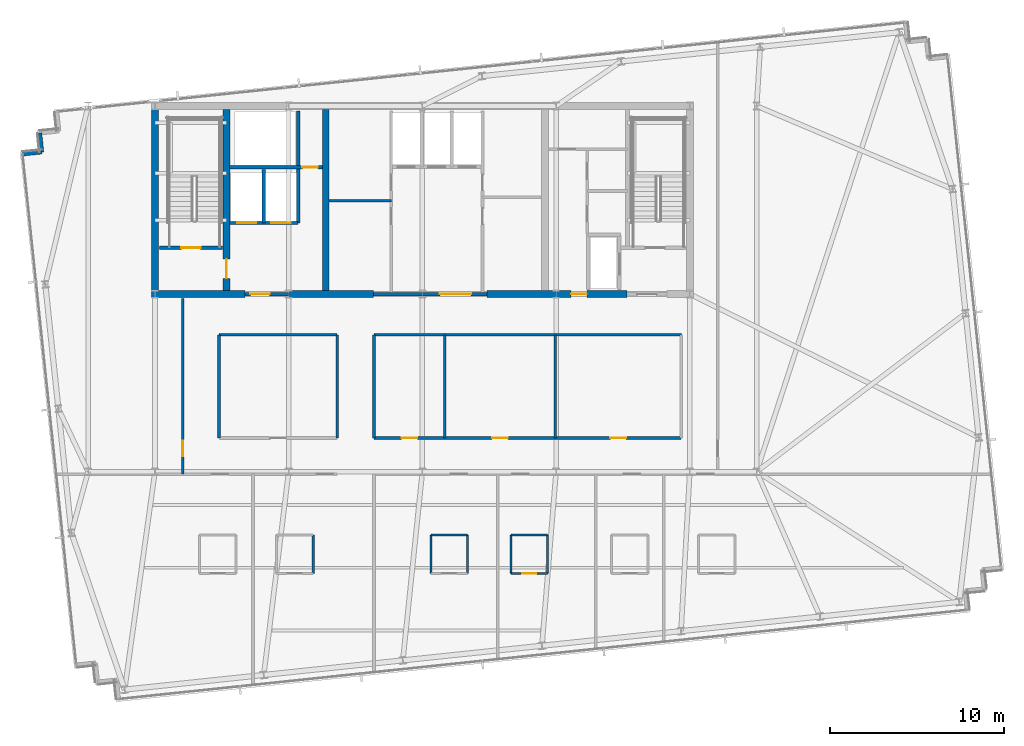
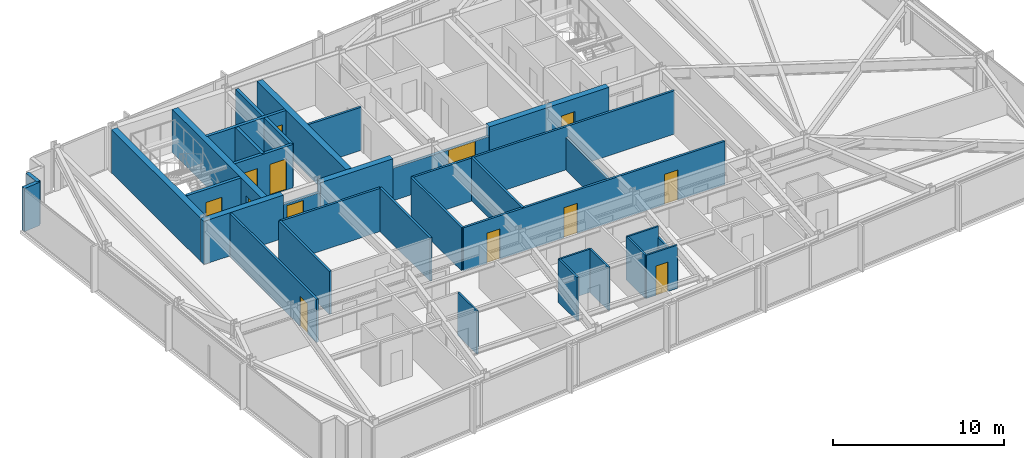
# One storey, part 27 of 33: 33 walls, 13 doors, 13 openings.
"""IFC4 building model written with IfcOpenShell, lengths in metres."""

from ifc_helpers import new_model, si_unit, direction, frame, frame_2d, origin, place, context, subcontext, project, spatial, rectangle, extrude, material, layer, layer_set, type_object, element, fill, save


model = new_model("IFC4")

# Units and contexts
model_context = context("Model", 3, precision=1e-05, world=origin(), true_north=direction((0.0, 1.0)))
body_context = subcontext(model_context, "Body", "Model", "MODEL_VIEW")
ifc_project = project(units=[si_unit("LENGTHUNIT", "METRE"), si_unit("AREAUNIT", "SQUARE_METRE"), si_unit("VOLUMEUNIT", "CUBIC_METRE"), si_unit("PLANEANGLEUNIT", "RADIAN"), si_unit("MASSUNIT", "GRAM", prefix="KILO")], contexts=[model_context])

# Site, building, storey
site_placement = place(None, origin())
site = spatial("IfcSite", under=ifc_project, at=site_placement, CompositionType="ELEMENT")
building_placement = place(site_placement, origin())
building = spatial("IfcBuilding", under=site, at=building_placement, Name="Yelkora Congress Tower", CompositionType="ELEMENT")
storey_placement = place(building_placement, frame((0.0, 0.0, 240.800048828125)))
storey = spatial("IfcBuildingStorey", under=building, at=storey_placement, Name="L67", CompositionType="ELEMENT", Elevation=240.800048828125)

# Walls
ifc_material_1 = material(Name="Concrete C50/60", Category="concrete")
ifc_layer_1 = layer(ifc_material_1, 0.39990234375)
ifc_layer_set_1 = layer_set([ifc_layer_1], Name="Concrete C50/60")
wall_type_1 = type_object("IfcWallType", Name="WALL-CORE-INT-400", PredefinedType="SHEAR", material=ifc_layer_set_1)
wall_1_placement = place(storey_placement, frame((22.840087890625, 35.39990234375, 0.0), z_axis=(0.0, 0.0, 1.0), x_axis=(1.0, 0.0, 0.0)))
element("IfcWall", 1, at=wall_1_placement, inside=storey, type_object=wall_type_1, Name="L67 Rear Core South-West Shear Wall", PredefinedType="SHEAR", context=body_context, shape_type="SweptSolid", body=[
    extrude(rectangle(XDim=5.35986328125, YDim=0.39990234375, at=frame_2d((2.679931640625, 0.0))), origin(), (0.0, 0.0, 1.0), 3.079833984375),
])
wall_2_placement = place(storey_placement, frame((30.719970703125, 35.39990234375, 0.0), z_axis=(0.0, 0.0, 1.0), x_axis=(1.0, 0.0, 0.0)))
element("IfcWall", 2, at=wall_2_placement, inside=storey, type_object=wall_type_1, Name="L67 Rear Core South-Center Shear Pier", PredefinedType="SHEAR", context=body_context, shape_type="SweptSolid", body=[
    extrude(rectangle(XDim=4.880126953125, YDim=0.39990234375, at=frame_2d((2.43994140625, 0.0))), origin(), (0.0, 0.0, 1.0), 3.079833984375),
])

# Wall, opening, door
wall_3_placement = place(storey_placement, frame((42.10009765625, 35.39990234375, 0.0), z_axis=(0.0, 0.0, 1.0), x_axis=(1.0, 0.0, 0.0)))
wall_3 = element("IfcWall", 3, at=wall_3_placement, inside=storey, type_object=wall_type_1, Name="L67 Rear Core South-East Shear Wall A", PredefinedType="SHEAR", context=body_context, shape_type="SweptSolid", body=[
    extrude(rectangle(XDim=8.0498046875, YDim=0.39990234375, at=frame_2d((4.02490234375, 0.0))), origin(), (0.0, 0.0, 1.0), 3.079833984375),
])
opening_1_placement = place(wall_3_placement, frame((4.85009765625, 0.0, 0.0)))
opening_1 = element("IfcOpeningElement", 4, at=opening_1_placement, cuts=wall_3, Name="Opening DR-090F6", PredefinedType="OPENING", context=body_context, shape_type="SweptSolid", body=[
    extrude(rectangle(XDim=0.89990234375, YDim=2.14990234375, at=frame_2d((0.449951171875, 1.074951171875))), frame((0.0, 0.2099609375, 0.0), z_axis=(0.0, -1.0, 0.0), x_axis=(1.0, 0.0, 0.0)), (0.0, 0.0, 1.0), 0.419921875),
])
ifc_material_2 = material(Name="Painted steel riser fire door leaf", Category="steel")
door_type_1 = type_object("IfcDoorType", Name="DOOR-FD60-900", OperationType="NOTDEFINED", PredefinedType="DOOR", material=ifc_material_2)
door_1_placement = place(opening_1_placement, origin())
door_1 = element("IfcDoor", 5, at=door_1_placement, inside=storey, type_object=door_type_1, Name="L67 Core Washroom Lobby Door", OperationType="SINGLE_SWING_RIGHT", OverallHeight=2.14990234375, OverallWidth=0.89990234375, PredefinedType="DOOR", context=body_context, shape_type="SweptSolid", body=[
    extrude(rectangle(XDim=0.89990234375, YDim=2.14990234375, at=frame_2d((0.449951171875, 1.074951171875))), frame((0.0, 0.02490234375, 0.0), z_axis=(0.0, -1.0, 0.0), x_axis=(1.0, 0.0, 0.0)), (0.0, 0.0, 1.0), 0.050048828125),
])
fill(opening_1, door_1)

# Wall
wall_4_placement = place(storey_placement, frame((23.0400390625, 35.60009765625, 0.0), z_axis=(0.0, 0.0, 1.0), x_axis=(0.0, 1.0, 0.0)))
element("IfcWall", 6, at=wall_4_placement, inside=storey, type_object=wall_type_1, Name="L67 Rear Core Cross Shear Wall W", PredefinedType="SHEAR", context=body_context, shape_type="SweptSolid", body=[
    extrude(rectangle(XDim=10.39990234375, YDim=0.39990234375, at=frame_2d((5.199951171875, 0.0))), origin(), (0.0, 0.0, 1.0), 3.079833984375),
])

# Wall, opening, door
wall_5_placement = place(storey_placement, frame((27.14990234375, 35.60009765625, 0.0), z_axis=(0.0, 0.0, 1.0), x_axis=(0.0, 1.0, 0.0)))
wall_5 = element("IfcWall", 7, at=wall_5_placement, inside=storey, type_object=wall_type_1, Name="L67 Rear Core Cross Shear Wall C1", PredefinedType="SHEAR", context=body_context, shape_type="SweptSolid", body=[
    extrude(rectangle(XDim=10.39990234375, YDim=0.39990234375, at=frame_2d((5.199951171875, 0.0))), origin(), (0.0, 0.0, 1.0), 3.079833984375),
])
opening_2_placement = place(wall_5_placement, frame((0.699951171875, 0.0, 0.0)))
opening_2 = element("IfcOpeningElement", 8, at=opening_2_placement, cuts=wall_5, Name="Opening DR-110F9", PredefinedType="OPENING", context=body_context, shape_type="SweptSolid", body=[
    extrude(rectangle(XDim=1.10009765625, YDim=2.14990234375, at=frame_2d((0.550048828125, 1.074951171875))), frame((0.0, 0.2099609375, 0.0), z_axis=(0.0, -1.0, 0.0), x_axis=(1.0, 0.0, 0.0)), (0.0, 0.0, 1.0), 0.419921875),
])
ifc_material_3 = material(Name="Galvanised steel fire door leaf", Category="steel")
door_type_2 = type_object("IfcDoorType", Name="DOOR-FD90-1100", OperationType="NOTDEFINED", PredefinedType="DOOR", material=ifc_material_3)
door_2_placement = place(opening_2_placement, origin())
door_2 = element("IfcDoor", 9, at=door_2_placement, inside=storey, type_object=door_type_2, Name="L67 Firefighting Stair Transfer Door", OperationType="SINGLE_SWING_LEFT", OverallHeight=2.14990234375, OverallWidth=1.10009765625, PredefinedType="DOOR", context=body_context, shape_type="SweptSolid", body=[
    extrude(rectangle(XDim=1.10009765625, YDim=2.14990234375, at=frame_2d((0.550048828125, 1.074951171875))), frame((0.0, 0.02490234375, 0.0), z_axis=(0.0, -1.0, 0.0), x_axis=(1.0, 0.0, 0.0)), (0.0, 0.0, 1.0), 0.050048828125),
])
fill(opening_2, door_2)

# Walls
wall_6_placement = place(storey_placement, frame((32.85009765625, 35.60009765625, 0.0), z_axis=(0.0, 0.0, 1.0), x_axis=(0.0, 1.0, 0.0)))
element("IfcWall", 10, at=wall_6_placement, inside=storey, type_object=wall_type_1, Name="L67 Rear Core Cross Shear Wall C2", PredefinedType="SHEAR", context=body_context, shape_type="SweptSolid", body=[
    extrude(rectangle(XDim=10.39990234375, YDim=0.39990234375, at=frame_2d((5.199951171875, 0.0))), origin(), (0.0, 0.0, 1.0), 3.079833984375),
])
ifc_material_4 = material(Name="Concrete C40/50", Category="concrete")
ifc_layer_2 = layer(ifc_material_4, 0.239990234375)
ifc_layer_set_2 = layer_set([ifc_layer_2], Name="Concrete C40/50")
wall_type_2 = type_object("IfcWallType", Name="WALL-EXT-LIMESTONE-240", PredefinedType="SOLIDWALL", material=ifc_layer_set_2)
wall_7_placement = place(storey_placement, frame((15.441162109375, 43.444580078125, 0.0), z_axis=(0.0, 0.0, 1.0), x_axis=(0.994495717747, 0.104777227405, 0.0)))
element("IfcWall", 11, at=wall_7_placement, inside=storey, type_object=wall_type_2, Name="L67 Serrated Corner Limestone Pier 6", PredefinedType="SOLIDWALL", context=body_context, shape_type="SweptSolid", body=[
    extrude(rectangle(XDim=1.099853515625, YDim=0.239990234375, at=frame_2d((0.5498046875, 0.0))), origin(), (0.0, 0.0, 1.0), 3.079833984375),
])
wall_8_placement = place(storey_placement, frame((16.534912109375, 43.559814453125, 0.0), z_axis=(0.0, 0.0, 1.0), x_axis=(-0.104315068386, 0.994544300928, 0.0)))
element("IfcWall", 12, at=wall_8_placement, inside=storey, type_object=wall_type_2, Name="L67 Serrated Corner Limestone Pier 7", PredefinedType="SOLIDWALL", context=body_context, shape_type="SweptSolid", body=[
    extrude(rectangle(XDim=1.10009765625, YDim=0.239990234375, at=frame_2d((0.550048828125, 0.0))), origin(), (0.0, 0.0, 1.0), 3.079833984375),
])
ifc_material_5 = material(Name="Moisture-resistant gypsum partition", Category="gypsum")
ifc_layer_3 = layer(ifc_material_5, 0.1201171875)
ifc_layer_set_3 = layer_set([ifc_layer_3], Name="Moisture-resistant gypsum partition")
wall_type_3 = type_object("IfcWallType", Name="WALL-INT-120-NR", PredefinedType="PARTITIONING", material=ifc_layer_set_3)
wall_9_placement = place(storey_placement, frame((32.1298828125, 19.35009765625, 0.0), z_axis=(0.0, 0.0, 1.0), x_axis=(0.0, 1.0, 0.0)))
element("IfcWall", 13, at=wall_9_placement, inside=storey, type_object=wall_type_3, Name="L67 Partition Wall 29", PredefinedType="PARTITIONING", context=body_context, shape_type="SweptSolid", body=[
    extrude(rectangle(XDim=2.199951171875, YDim=0.1201171875, at=frame_2d((1.10009765625, 0.0))), origin(), (0.0, 0.0, 1.0), 3.079833984375),
])
wall_10_placement = place(storey_placement, frame((38.89990234375, 21.550048828125, 0.0), z_axis=(0.0, 0.0, 1.0), x_axis=(1.0, 0.0, 0.0)))
element("IfcWall", 14, at=wall_10_placement, inside=storey, type_object=wall_type_3, Name="L67 Partition Wall 32", PredefinedType="PARTITIONING", context=body_context, shape_type="SweptSolid", body=[
    extrude(rectangle(XDim=2.10009765625, YDim=0.1201171875, at=frame_2d((1.050048828125, 0.0))), origin(), (0.0, 0.0, 1.0), 3.079833984375),
])
for number, where, z_axis, x_axis, name in (
    (15, (38.89990234375, 19.35009765625, 0.0), (0.0, 0.0, 1.0), (0.0, 1.0, 0.0), "L67 Partition Wall 33"),
    (16, (41.0, 19.35009765625, 0.0), (0.0, 0.0, 1.0), (0.0, 1.0, 0.0), "L67 Partition Wall 34"),
):
    element("IfcWall", number, at=place(storey_placement, frame(where, z_axis=z_axis, x_axis=x_axis)), inside=storey, type_object=wall_type_3, Name=name, PredefinedType="PARTITIONING", context=body_context, shape_type="SweptSolid", body=[
        extrude(rectangle(XDim=2.199951171875, YDim=0.1201171875, at=frame_2d((1.10009765625, 0.0))), origin(), (0.0, 0.0, 1.0), 3.079833984375),
    ])
wall_11_placement = place(storey_placement, frame((43.47998046875, 21.550048828125, 0.0), z_axis=(0.0, 0.0, 1.0), x_axis=(1.0, 0.0, 0.0)))
element("IfcWall", 17, at=wall_11_placement, inside=storey, type_object=wall_type_3, Name="L67 Partition Wall 37", PredefinedType="PARTITIONING", context=body_context, shape_type="SweptSolid", body=[
    extrude(rectangle(XDim=2.10009765625, YDim=0.1201171875, at=frame_2d((1.050048828125, 0.0))), origin(), (0.0, 0.0, 1.0), 3.079833984375),
])
wall_12_placement = place(storey_placement, frame((43.47998046875, 19.35009765625, 0.0), z_axis=(0.0, 0.0, 1.0), x_axis=(0.0, 1.0, 0.0)))
element("IfcWall", 18, at=wall_12_placement, inside=storey, type_object=wall_type_3, Name="L67 Partition Wall 38", PredefinedType="PARTITIONING", context=body_context, shape_type="SweptSolid", body=[
    extrude(rectangle(XDim=2.199951171875, YDim=0.1201171875, at=frame_2d((1.10009765625, 0.0))), origin(), (0.0, 0.0, 1.0), 3.079833984375),
])
wall_13_placement = place(storey_placement, frame((45.580078125, 19.35009765625, 0.0), z_axis=(0.0, 0.0, 1.0), x_axis=(0.0, 1.0, 0.0)))
element("IfcWall", 19, at=wall_13_placement, inside=storey, type_object=wall_type_3, Name="L67 Partition Wall 39", PredefinedType="PARTITIONING", context=body_context, shape_type="SweptSolid", body=[
    extrude(rectangle(XDim=2.199951171875, YDim=0.1201171875, at=frame_2d((1.10009765625, 0.0))), origin(), (0.0, 0.0, 1.0), 2.31298828125),
])

# Wall, opening, door
wall_14_placement = place(storey_placement, frame((43.47998046875, 19.35009765625, 0.0), z_axis=(0.0, 0.0, 1.0), x_axis=(1.0, 0.0, 0.0)))
wall_14 = element("IfcWall", 20, at=wall_14_placement, inside=storey, type_object=wall_type_3, Name="L67 Partition Wall 40", PredefinedType="PARTITIONING", context=body_context, shape_type="SweptSolid", body=[
    extrude(rectangle(XDim=2.10009765625, YDim=0.1201171875, at=frame_2d((1.050048828125, 0.0))), origin(), (0.0, 0.0, 1.0), 3.079833984375),
])
opening_3_placement = place(wall_14_placement, frame((0.64990234375, 0.0, 0.0)))
opening_3 = element("IfcOpeningElement", 21, at=opening_3_placement, cuts=wall_14, Name="Opening DR-080B", PredefinedType="OPENING", context=body_context, shape_type="SweptSolid", body=[
    extrude(rectangle(XDim=0.800048828125, YDim=2.10009765625, at=frame_2d((0.39990234375, 1.050048828125))), frame((0.0, 0.070068359375, 0.0), z_axis=(0.0, -1.0, 0.0), x_axis=(1.0, 0.0, 0.0)), (0.0, 0.0, 1.0), 0.14013671875),
])
ifc_material_6 = material(Name="Moisture-sealed en-suite timber door", Category="wood")
door_type_3 = type_object("IfcDoorType", Name="DOOR-BATH-800", OperationType="NOTDEFINED", PredefinedType="DOOR", material=ifc_material_6)
door_3_placement = place(opening_3_placement, origin())
door_3 = element("IfcDoor", 22, at=door_3_placement, inside=storey, type_object=door_type_3, Name="L67 En-suite Door 5", OperationType="SINGLE_SWING_LEFT", OverallHeight=2.10009765625, OverallWidth=0.800048828125, PredefinedType="DOOR", context=body_context, shape_type="SweptSolid", body=[
    extrude(rectangle(XDim=0.800048828125, YDim=2.10009765625, at=frame_2d((0.39990234375, 1.050048828125))), frame((0.0, 0.02490234375, 0.0), z_axis=(0.0, -1.0, 0.0), x_axis=(1.0, 0.0, 0.0)), (0.0, 0.0, 1.0), 0.050048828125),
])
fill(opening_3, door_3)

ifc_material_7 = material(Name="Acoustic metal-stud gypsum partition", Category="gypsum")
ifc_layer_4 = layer(ifc_material_7, 0.14990234375)
ifc_layer_set_4 = layer_set([ifc_layer_4], Name="Acoustic metal-stud gypsum partition")
wall_type_4 = type_object("IfcWallType", Name="WALL-INT-150-NR", PredefinedType="PARTITIONING", material=ifc_layer_set_4)
wall_15_placement = place(storey_placement, frame((24.639892578125, 25.050048828125, 0.0), z_axis=(0.0, 0.0, 1.0), x_axis=(0.0, 1.0, 0.0)))
wall_15 = element("IfcWall", 23, at=wall_15_placement, inside=storey, type_object=wall_type_4, Name="L67 Partition Wall 54", PredefinedType="PARTITIONING", context=body_context, shape_type="SweptSolid", body=[
    extrude(rectangle(XDim=10.08984375, YDim=0.14990234375, at=frame_2d((5.044921875, 0.0))), origin(), (0.0, 0.0, 1.0), 3.079833984375),
])
opening_4_placement = place(wall_15_placement, frame((1.030029296875, 0.0, 0.0)))
opening_4 = element("IfcOpeningElement", 24, at=opening_4_placement, cuts=wall_15, Name="Opening DR-090N", PredefinedType="OPENING", context=body_context, shape_type="SweptSolid", body=[
    extrude(rectangle(XDim=0.89990234375, YDim=2.14990234375, at=frame_2d((0.449951171875, 1.074951171875))), frame((0.0, 0.0849609375, 0.0), z_axis=(0.0, -1.0, 0.0), x_axis=(1.0, 0.0, 0.0)), (0.0, 0.0, 1.0), 0.169921875),
])
ifc_material_8 = material(Name="Moisture-resistant laminate door leaf", Category="wood")
door_type_4 = type_object("IfcDoorType", Name="DOOR-INT-900", OperationType="NOTDEFINED", PredefinedType="DOOR", material=ifc_material_8)
door_4_placement = place(opening_4_placement, origin())
door_4 = element("IfcDoor", 25, at=door_4_placement, inside=storey, type_object=door_type_4, Name="L67 W Wing Door", OperationType="SINGLE_SWING_RIGHT", OverallHeight=2.14990234375, OverallWidth=0.89990234375, PredefinedType="DOOR", context=body_context, shape_type="SweptSolid", body=[
    extrude(rectangle(XDim=0.89990234375, YDim=2.14990234375, at=frame_2d((0.449951171875, 1.074951171875))), frame((0.0, 0.02490234375, 0.0), z_axis=(0.0, -1.0, 0.0), x_axis=(1.0, 0.0, 0.0)), (0.0, 0.0, 1.0), 0.050048828125),
])
fill(opening_4, door_4)

# Walls
for number, where, z_axis, x_axis, name in (
    (26, (26.719970703125, 27.1298828125, 0.0), (0.0, 0.0, 1.0), (0.0, 1.0, 0.0), "L67 Partition Wall 56"),
    (27, (33.5, 27.1298828125, 0.0), (0.0, 0.0, 1.0), (0.0, 1.0, 0.0), "L67 Partition Wall 58"),
    (28, (35.6201171875, 27.1298828125, 0.0), (0.0, 0.0, 1.0), (0.0, 1.0, 0.0), "L67 Partition Wall 59"),
):
    element("IfcWall", number, at=place(storey_placement, frame(where, z_axis=z_axis, x_axis=x_axis)), inside=storey, type_object=wall_type_4, Name=name, PredefinedType="PARTITIONING", context=body_context, shape_type="SweptSolid", body=[
        extrude(rectangle(XDim=5.920166015625, YDim=0.14990234375, at=frame_2d((2.9599609375, 0.0))), origin(), (0.0, 0.0, 1.0), 3.079833984375),
    ])
wall_16_placement = place(storey_placement, frame((26.719970703125, 33.050048828125, 0.0), z_axis=(0.0, 0.0, 1.0), x_axis=(1.0, 0.0, 0.0)))
element("IfcWall", 29, at=wall_16_placement, inside=storey, type_object=wall_type_4, Name="L67 Partition Wall 60", PredefinedType="PARTITIONING", context=body_context, shape_type="SweptSolid", body=[
    extrude(rectangle(XDim=6.780029296875, YDim=0.14990234375, at=frame_2d((3.39013671875, 0.0))), origin(), (0.0, 0.0, 1.0), 3.079833984375),
])
wall_17_placement = place(storey_placement, frame((35.6201171875, 33.050048828125, 0.0), z_axis=(0.0, 0.0, 1.0), x_axis=(1.0, 0.0, 0.0)))
element("IfcWall", 30, at=wall_17_placement, inside=storey, type_object=wall_type_4, Name="L67 Partition Wall 61", PredefinedType="PARTITIONING", context=body_context, shape_type="SweptSolid", body=[
    extrude(rectangle(XDim=17.659912109375, YDim=0.14990234375, at=frame_2d((8.830078125, 0.0))), origin(), (0.0, 0.0, 1.0), 3.079833984375),
])
wall_18_placement = place(storey_placement, frame((39.68505859375, 27.1298828125, 0.0), z_axis=(0.0, 0.0, 1.0), x_axis=(0.0, 1.0, 0.0)))
element("IfcWall", 31, at=wall_18_placement, inside=storey, type_object=wall_type_4, Name="L67 Partition Wall 63", PredefinedType="PARTITIONING", context=body_context, shape_type="SweptSolid", body=[
    extrude(rectangle(XDim=5.920166015625, YDim=0.14990234375, at=frame_2d((2.9599609375, 0.0))), origin(), (0.0, 0.0, 1.0), 3.079833984375),
])
wall_19_placement = place(storey_placement, frame((46.031982421875, 27.1298828125, 0.0), z_axis=(0.0, 0.0, 1.0), x_axis=(0.0, 1.0, 0.0)))
element("IfcWall", 32, at=wall_19_placement, inside=storey, type_object=wall_type_4, Name="L67 Partition Wall 64", PredefinedType="PARTITIONING", context=body_context, shape_type="SweptSolid", body=[
    extrude(rectangle(XDim=5.920166015625, YDim=0.14990234375, at=frame_2d((2.9599609375, 0.0))), origin(), (0.0, 0.0, 1.0), 2.31298828125),
])

# Wall, openings, doors
wall_20_placement = place(storey_placement, frame((35.6298828125, 27.1298828125, 0.0), z_axis=(0.0, 0.0, 1.0), x_axis=(1.0, 0.0, 0.0)))
wall_20 = element("IfcWall", 33, at=wall_20_placement, inside=storey, type_object=wall_type_4, Name="L67 Partition Wall 65", PredefinedType="PARTITIONING", context=body_context, shape_type="SweptSolid", body=[
    extrude(rectangle(XDim=17.630126953125, YDim=0.14990234375, at=frame_2d((8.81494140625, 0.0))), origin(), (0.0, 0.0, 1.0), 3.079833984375),
])
opening_5_placement = place(wall_20_placement, frame((1.577392578125, 0.0, 0.0)))
opening_5 = element("IfcOpeningElement", 34, at=opening_5_placement, cuts=wall_20, Name="Opening DR-090N", PredefinedType="OPENING", context=body_context, shape_type="SweptSolid", body=[
    extrude(rectangle(XDim=0.89990234375, YDim=2.14990234375, at=frame_2d((0.449951171875, 1.074951171875))), frame((0.0, 0.0849609375, 0.0), z_axis=(0.0, -1.0, 0.0), x_axis=(1.0, 0.0, 0.0)), (0.0, 0.0, 1.0), 0.169921875),
])
opening_6_placement = place(wall_20_placement, frame((6.778564453125, 0.0, 0.0)))
opening_6 = element("IfcOpeningElement", 35, at=opening_6_placement, cuts=wall_20, Name="Opening DR-090N", PredefinedType="OPENING", context=body_context, shape_type="SweptSolid", body=[
    extrude(rectangle(XDim=0.89990234375, YDim=2.14990234375, at=frame_2d((0.449951171875, 1.074951171875))), frame((0.0, 0.0849609375, 0.0), z_axis=(0.0, -1.0, 0.0), x_axis=(1.0, 0.0, 0.0)), (0.0, 0.0, 1.0), 0.169921875),
])
opening_7_placement = place(wall_20_placement, frame((13.56591796875, 0.0, 0.0)))
opening_7 = element("IfcOpeningElement", 36, at=opening_7_placement, cuts=wall_20, Name="Opening DR-090N", PredefinedType="OPENING", context=body_context, shape_type="SweptSolid", body=[
    extrude(rectangle(XDim=0.89990234375, YDim=2.14990234375, at=frame_2d((0.449951171875, 1.074951171875))), frame((0.0, 0.0849609375, 0.0), z_axis=(0.0, -1.0, 0.0), x_axis=(1.0, 0.0, 0.0)), (0.0, 0.0, 1.0), 0.169921875),
])
door_5_placement = place(opening_5_placement, origin())
door_5 = element("IfcDoor", 37, at=door_5_placement, inside=storey, type_object=door_type_4, Name="L67 Executive Study Office Door", OperationType="SINGLE_SWING_LEFT", OverallHeight=2.14990234375, OverallWidth=0.89990234375, PredefinedType="DOOR", context=body_context, shape_type="SweptSolid", body=[
    extrude(rectangle(XDim=0.89990234375, YDim=2.14990234375, at=frame_2d((0.449951171875, 1.074951171875))), frame((0.0, 0.02490234375, 0.0), z_axis=(0.0, -1.0, 0.0), x_axis=(1.0, 0.0, 0.0)), (0.0, 0.0, 1.0), 0.050048828125),
])
fill(opening_5, door_5)
door_6_placement = place(opening_6_placement, origin())
door_6 = element("IfcDoor", 38, at=door_6_placement, inside=storey, type_object=door_type_4, Name="L67 Delegate Reading Lounge Door", OperationType="SINGLE_SWING_RIGHT", OverallHeight=2.14990234375, OverallWidth=0.89990234375, PredefinedType="DOOR", context=body_context, shape_type="SweptSolid", body=[
    extrude(rectangle(XDim=0.89990234375, YDim=2.14990234375, at=frame_2d((0.449951171875, 1.074951171875))), frame((0.0, 0.02490234375, 0.0), z_axis=(0.0, -1.0, 0.0), x_axis=(1.0, 0.0, 0.0)), (0.0, 0.0, 1.0), 0.050048828125),
])
fill(opening_6, door_6)
door_7_placement = place(opening_7_placement, origin())
door_7 = element("IfcDoor", 39, at=door_7_placement, inside=storey, type_object=door_type_4, Name="L67 Seminar Briefing Room Door", OperationType="SINGLE_SWING_LEFT", OverallHeight=2.14990234375, OverallWidth=0.89990234375, PredefinedType="DOOR", context=body_context, shape_type="SweptSolid", body=[
    extrude(rectangle(XDim=0.89990234375, YDim=2.14990234375, at=frame_2d((0.449951171875, 1.074951171875))), frame((0.0, 0.02490234375, 0.0), z_axis=(0.0, -1.0, 0.0), x_axis=(1.0, 0.0, 0.0)), (0.0, 0.0, 1.0), 0.050048828125),
])
fill(opening_7, door_7)

# Wall
ifc_material_9 = material(Name="Twin-stud fire-rated gypsum partition", Category="gypsum")
ifc_layer_5 = layer(ifc_material_9, 0.14990234375)
ifc_layer_set_5 = layer_set([ifc_layer_5], Name="Twin-stud fire-rated gypsum partition")
wall_type_5 = type_object("IfcWallType", Name="WALL-INT-150-R60", PredefinedType="PARTITIONING", material=ifc_layer_set_5)
wall_21_placement = place(storey_placement, frame((33.050048828125, 40.75, 0.0), z_axis=(0.0, 0.0, 1.0), x_axis=(1.0, 0.0, 0.0)))
element("IfcWall", 40, at=wall_21_placement, inside=storey, type_object=wall_type_5, Name="L67 Partition Wall 11", PredefinedType="PARTITIONING", context=body_context, shape_type="SweptSolid", body=[
    extrude(rectangle(XDim=3.570068359375, YDim=0.14990234375, at=frame_2d((1.78515625, 0.0))), origin(), (0.0, 0.0, 1.0), 3.079833984375),
])

# Wall, opening, door
ifc_material_10 = material(Name="Autoclaved aerated concrete blockwork", Category="masonry")
ifc_layer_6 = layer(ifc_material_10, 0.199951171875)
ifc_layer_set_6 = layer_set([ifc_layer_6], Name="Autoclaved aerated concrete blockwork")
wall_type_6 = type_object("IfcWallType", Name="WALL-INT-200-R120", PredefinedType="PARTITIONING", material=ifc_layer_set_6)
wall_22_placement = place(storey_placement, frame((23.300048828125, 38.050048828125, 0.0), z_axis=(0.0, 0.0, 1.0), x_axis=(1.0, 0.0, 0.0)))
wall_22 = element("IfcWall", 41, at=wall_22_placement, inside=storey, type_object=wall_type_6, Name="L67 Stair ST-01 Enclosure Wall", PredefinedType="PARTITIONING", context=body_context, shape_type="SweptSolid", body=[
    extrude(rectangle(XDim=3.619873046875, YDim=0.199951171875, at=frame_2d((1.81005859375, 0.0))), origin(), (0.0, 0.0, 1.0), 3.079833984375),
])
opening_8_placement = place(wall_22_placement, frame((1.260009765625, 0.0, 0.0)))
opening_8 = element("IfcOpeningElement", 42, at=opening_8_placement, cuts=wall_22, Name="Opening DR-110F9", PredefinedType="OPENING", context=body_context, shape_type="SweptSolid", body=[
    extrude(rectangle(XDim=1.10009765625, YDim=2.14990234375, at=frame_2d((0.550048828125, 1.074951171875))), frame((0.0, 0.10986328125, 0.0), z_axis=(0.0, -1.0, 0.0), x_axis=(1.0, 0.0, 0.0)), (0.0, 0.0, 1.0), 0.219970703125),
])
door_8_placement = place(opening_8_placement, origin())
door_8 = element("IfcDoor", 43, at=door_8_placement, inside=storey, type_object=door_type_2, Name="L67 Stair ST-01 Entry Door", OperationType="SINGLE_SWING_LEFT", OverallHeight=2.14990234375, OverallWidth=1.10009765625, PredefinedType="DOOR", context=body_context, shape_type="SweptSolid", body=[
    extrude(rectangle(XDim=1.10009765625, YDim=2.14990234375, at=frame_2d((0.550048828125, 1.074951171875))), frame((0.0, 0.02490234375, 0.0), z_axis=(0.0, -1.0, 0.0), x_axis=(1.0, 0.0, 0.0)), (0.0, 0.0, 1.0), 0.050048828125),
])
fill(opening_8, door_8)

wall_23_placement = place(storey_placement, frame((28.219970703125, 35.39990234375, 0.0), z_axis=(0.0, 0.0, 1.0), x_axis=(1.0, 0.0, 0.0)))
wall_23 = element("IfcWall", 44, at=wall_23_placement, inside=storey, type_object=wall_type_6, Name="L67 Firefighting Lobby South Wall", PredefinedType="PARTITIONING", context=body_context, shape_type="SweptSolid", body=[
    extrude(rectangle(XDim=2.5, YDim=0.199951171875, at=frame_2d((1.25, 0.0))), origin(), (0.0, 0.0, 1.0), 2.31298828125),
])
opening_9_placement = place(wall_23_placement, frame((0.300048828125, 0.0, 0.0)))
opening_9 = element("IfcOpeningElement", 45, at=opening_9_placement, cuts=wall_23, Name="Opening DR-110F9", PredefinedType="OPENING", context=body_context, shape_type="SweptSolid", body=[
    extrude(rectangle(XDim=1.10009765625, YDim=2.14990234375, at=frame_2d((0.550048828125, 1.074951171875))), frame((0.0, 0.10986328125, 0.0), z_axis=(0.0, -1.0, 0.0), x_axis=(1.0, 0.0, 0.0)), (0.0, 0.0, 1.0), 0.219970703125),
])
door_9_placement = place(opening_9_placement, origin())
door_9 = element("IfcDoor", 46, at=door_9_placement, inside=storey, type_object=door_type_2, Name="L67 Firefighting Lobby Corridor Door", OperationType="SINGLE_SWING_RIGHT", OverallHeight=2.14990234375, OverallWidth=1.10009765625, PredefinedType="DOOR", context=body_context, shape_type="SweptSolid", body=[
    extrude(rectangle(XDim=1.10009765625, YDim=2.14990234375, at=frame_2d((0.550048828125, 1.074951171875))), frame((0.0, 0.02490234375, 0.0), z_axis=(0.0, -1.0, 0.0), x_axis=(1.0, 0.0, 0.0)), (0.0, 0.0, 1.0), 0.050048828125),
])
fill(opening_9, door_9)

# Wall, openings, doors
wall_24_placement = place(storey_placement, frame((27.320068359375, 39.47998046875, 0.0), z_axis=(0.0, 0.0, 1.0), x_axis=(1.0, 0.0, 0.0)))
wall_24 = element("IfcWall", 47, at=wall_24_placement, inside=storey, type_object=wall_type_6, Name="L67 Firefighting Lift Front Wall", PredefinedType="PARTITIONING", context=body_context, shape_type="SweptSolid", body=[
    extrude(rectangle(XDim=3.93994140625, YDim=0.199951171875, at=frame_2d((1.969970703125, 0.0))), origin(), (0.0, 0.0, 1.0), 3.079833984375),
])
opening_10_placement = place(wall_24_placement, frame((0.449951171875, 0.0, 0.0)))
opening_10 = element("IfcOpeningElement", 48, at=opening_10_placement, cuts=wall_24, Name="Opening LD-FF11", PredefinedType="OPENING", context=body_context, shape_type="SweptSolid", body=[
    extrude(rectangle(XDim=1.10009765625, YDim=2.199951171875, at=frame_2d((0.550048828125, 1.10009765625))), frame((0.0, 0.10986328125, 0.0), z_axis=(0.0, -1.0, 0.0), x_axis=(1.0, 0.0, 0.0)), (0.0, 0.0, 1.0), 0.219970703125),
])
opening_11_placement = place(wall_24_placement, frame((2.409912109375, 0.0, 0.0)))
opening_11 = element("IfcOpeningElement", 49, at=opening_11_placement, cuts=wall_24, Name="Opening LD-FF11", PredefinedType="OPENING", context=body_context, shape_type="SweptSolid", body=[
    extrude(rectangle(XDim=1.10009765625, YDim=2.199951171875, at=frame_2d((0.550048828125, 1.10009765625))), frame((0.0, 0.10986328125, 0.0), z_axis=(0.0, -1.0, 0.0), x_axis=(1.0, 0.0, 0.0)), (0.0, 0.0, 1.0), 0.219970703125),
])
ifc_material_11 = material(Name="Brushed stainless steel 316L landing door", Category="steel")
door_type_5 = type_object("IfcDoorType", Name="DOOR-LIFT-FF-1100", OperationType="DOUBLE_DOOR_SLIDING", PredefinedType="DOOR", material=ifc_material_11)
door_10_placement = place(opening_10_placement, origin())
door_10 = element("IfcDoor", 50, at=door_10_placement, inside=storey, type_object=door_type_5, Name="Lift Landing Door LF-FF1 L67", OperationType="DOUBLE_DOOR_SLIDING", OverallHeight=2.199951171875, OverallWidth=1.10009765625, PredefinedType="DOOR", context=body_context, shape_type="SweptSolid", body=[
    extrude(rectangle(XDim=1.10009765625, YDim=2.199951171875, at=frame_2d((0.550048828125, 1.10009765625))), frame((0.0, 0.02490234375, 0.0), z_axis=(0.0, -1.0, 0.0), x_axis=(1.0, 0.0, 0.0)), (0.0, 0.0, 1.0), 0.050048828125),
])
fill(opening_10, door_10)
door_11_placement = place(opening_11_placement, origin())
door_11 = element("IfcDoor", 51, at=door_11_placement, inside=storey, type_object=door_type_5, Name="Lift Landing Door LF-FF2 L67", OperationType="DOUBLE_DOOR_SLIDING", OverallHeight=2.199951171875, OverallWidth=1.10009765625, PredefinedType="DOOR", context=body_context, shape_type="SweptSolid", body=[
    extrude(rectangle(XDim=1.10009765625, YDim=2.199951171875, at=frame_2d((0.550048828125, 1.10009765625))), frame((0.0, 0.02490234375, 0.0), z_axis=(0.0, -1.0, 0.0), x_axis=(1.0, 0.0, 0.0)), (0.0, 0.0, 1.0), 0.050048828125),
])
fill(opening_11, door_11)

# Walls
wall_25_placement = place(storey_placement, frame((29.300048828125, 39.47998046875, 0.0), z_axis=(0.0, 0.0, 1.0), x_axis=(0.0, 1.0, 0.0)))
element("IfcWall", 52, at=wall_25_placement, inside=storey, type_object=wall_type_6, Name="L67 Partition Wall 4", PredefinedType="PARTITIONING", context=body_context, shape_type="SweptSolid", body=[
    extrude(rectangle(XDim=3.070068359375, YDim=0.199951171875, at=frame_2d((1.53515625, 0.0))), origin(), (0.0, 0.0, 1.0), 3.079833984375),
])
wall_26_placement = place(storey_placement, frame((31.260009765625, 39.47998046875, 0.0), z_axis=(0.0, 0.0, 1.0), x_axis=(0.0, 1.0, 0.0)))
element("IfcWall", 53, at=wall_26_placement, inside=storey, type_object=wall_type_6, Name="L67 Partition Wall 5", PredefinedType="PARTITIONING", context=body_context, shape_type="SweptSolid", body=[
    extrude(rectangle(XDim=6.43994140625, YDim=0.199951171875, at=frame_2d((3.219970703125, 0.0))), origin(), (0.0, 0.0, 1.0), 3.079833984375),
])

# Wall, opening, door
wall_27_placement = place(storey_placement, frame((27.320068359375, 42.679931640625, 0.0), z_axis=(0.0, 0.0, 1.0), x_axis=(1.0, 0.0, 0.0)))
wall_27 = element("IfcWall", 54, at=wall_27_placement, inside=storey, type_object=wall_type_6, Name="L67 Smoke Riser South Wall", PredefinedType="PARTITIONING", context=body_context, shape_type="SweptSolid", body=[
    extrude(rectangle(XDim=5.329833984375, YDim=0.199951171875, at=frame_2d((2.6650390625, 0.0))), origin(), (0.0, 0.0, 1.0), 3.079833984375),
])
opening_12_placement = place(wall_27_placement, frame((4.179931640625, 0.0, 0.0)))
opening_12 = element("IfcOpeningElement", 55, at=opening_12_placement, cuts=wall_27, Name="Opening DR-090F6", PredefinedType="OPENING", context=body_context, shape_type="SweptSolid", body=[
    extrude(rectangle(XDim=0.89990234375, YDim=2.14990234375, at=frame_2d((0.449951171875, 1.074951171875))), frame((0.0, 0.10986328125, 0.0), z_axis=(0.0, -1.0, 0.0), x_axis=(1.0, 0.0, 0.0)), (0.0, 0.0, 1.0), 0.219970703125),
])
door_12_placement = place(opening_12_placement, origin())
door_12 = element("IfcDoor", 56, at=door_12_placement, inside=storey, type_object=door_type_1, Name="L67 Riser Access Door", OperationType="SINGLE_SWING_LEFT", OverallHeight=2.14990234375, OverallWidth=0.89990234375, PredefinedType="DOOR", context=body_context, shape_type="SweptSolid", body=[
    extrude(rectangle(XDim=0.89990234375, YDim=2.14990234375, at=frame_2d((0.449951171875, 1.074951171875))), frame((0.0, 0.02490234375, 0.0), z_axis=(0.0, -1.0, 0.0), x_axis=(1.0, 0.0, 0.0)), (0.0, 0.0, 1.0), 0.050048828125),
])
fill(opening_12, door_12)

wall_28_placement = place(storey_placement, frame((35.60009765625, 35.39990234375, 0.0), z_axis=(0.0, 0.0, 1.0), x_axis=(1.0, 0.0, 0.0)))
wall_28 = element("IfcWall", 57, at=wall_28_placement, inside=storey, type_object=wall_type_6, Name="L67 Main Lift Lobby South Portal Wall", PredefinedType="PARTITIONING", context=body_context, shape_type="SweptSolid", body=[
    extrude(rectangle(XDim=6.5, YDim=0.199951171875, at=frame_2d((3.25, 0.0))), origin(), (0.0, 0.0, 1.0), 2.31298828125),
])
opening_13_placement = place(wall_28_placement, frame((3.800048828125, 0.0, 0.0)))
opening_13 = element("IfcOpeningElement", 58, at=opening_13_placement, cuts=wall_28, Name="Opening DR-180D", PredefinedType="OPENING", context=body_context, shape_type="SweptSolid", body=[
    extrude(rectangle(XDim=1.800048828125, YDim=2.300048828125, at=frame_2d((0.89990234375, 1.14990234375))), frame((0.0, 0.10986328125, 0.0), z_axis=(0.0, -1.0, 0.0), x_axis=(1.0, 0.0, 0.0)), (0.0, 0.0, 1.0), 0.219970703125),
])
ifc_material_12 = material(Name="Acoustic double congress hall doors", Category="wood")
door_type_6 = type_object("IfcDoorType", Name="DOOR-DBL-1800", OperationType="DOUBLE_DOOR_SINGLE_SWING", PredefinedType="DOOR", material=ifc_material_12)
door_13_placement = place(opening_13_placement, origin())
door_13 = element("IfcDoor", 59, at=door_13_placement, inside=storey, type_object=door_type_6, Name="L67 Main Lift Lobby Portal Door", OperationType="DOUBLE_DOOR_SINGLE_SWING", OverallHeight=2.300048828125, OverallWidth=1.800048828125, PredefinedType="DOOR", context=body_context, shape_type="SweptSolid", body=[
    extrude(rectangle(XDim=1.800048828125, YDim=2.300048828125, at=frame_2d((0.89990234375, 1.14990234375))), frame((0.0, 0.02490234375, 0.0), z_axis=(0.0, -1.0, 0.0), x_axis=(1.0, 0.0, 0.0)), (0.0, 0.0, 1.0), 0.050048828125),
])
fill(opening_13, door_13)

save(model, "model.ifc")
